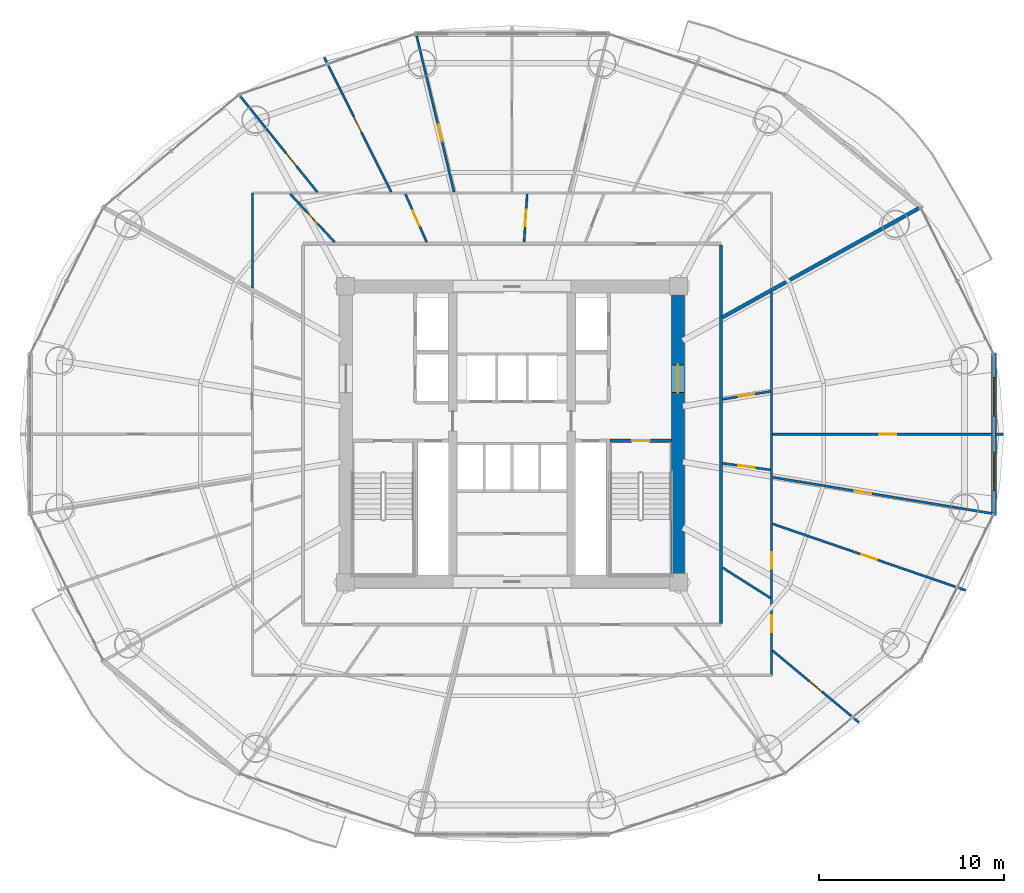
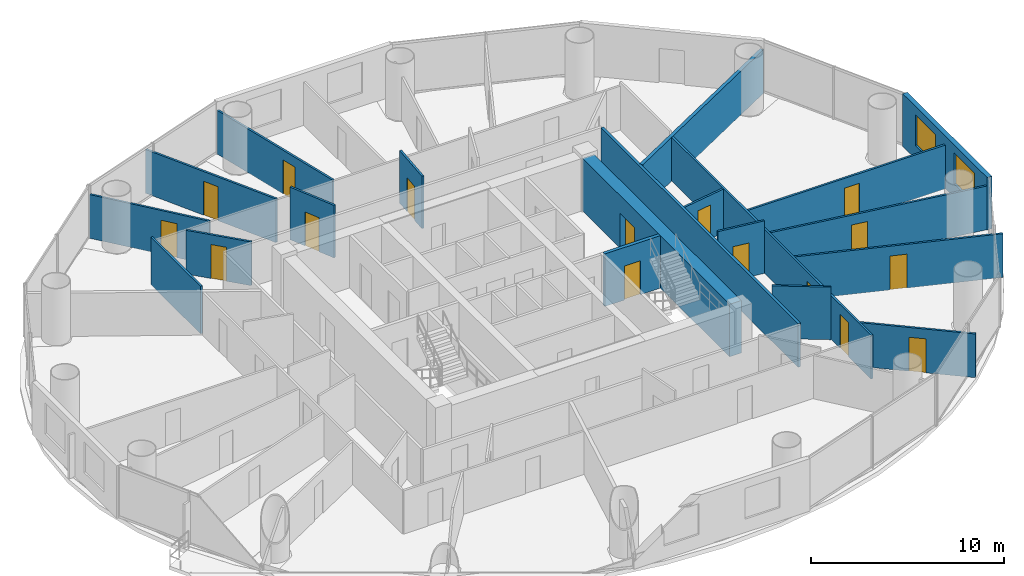
# One storey, part 24 of 29: 20 walls, 16 doors, 2 windows, 18 openings.
"""IFC4 building model written with IfcOpenShell, lengths in metres."""

from ifc_helpers import new_model, si_unit, direction, frame, frame_2d, origin, place, context, subcontext, project, spatial, rectangle, extrude, source, transform, mapped, material, layer, layer_set, type_object, element, fill, save


model = new_model("IFC4")

# Units and contexts
model_context = context("Model", 3, precision=1e-05, world=origin(), true_north=direction((-0.2419218956, 0.970295726276)))
body_context = subcontext(model_context, "Body", "Model", "MODEL_VIEW")
ifc_project = project(units=[si_unit("LENGTHUNIT", "METRE"), si_unit("AREAUNIT", "SQUARE_METRE"), si_unit("VOLUMEUNIT", "CUBIC_METRE"), si_unit("PLANEANGLEUNIT", "RADIAN"), si_unit("MASSUNIT", "GRAM", prefix="KILO")], contexts=[model_context])

# Site, building, storey
site_placement = place(None, origin())
site = spatial("IfcSite", under=ifc_project, at=site_placement, CompositionType="ELEMENT")
building_placement = place(site_placement, origin())
building = spatial("IfcBuilding", under=site, at=building_placement, Name="Cobrevalo Terracotta Tower", CompositionType="ELEMENT")
storey_placement = place(building_placement, frame((0.0, 0.0, 94.199951171875)))
storey = spatial("IfcBuildingStorey", under=building, at=storey_placement, Name="L24", CompositionType="ELEMENT", Elevation=94.199951171875)

# Wall, opening, door
ifc_material_1 = material(Name="Concrete C60", Category="concrete")
ifc_layer_1 = layer(ifc_material_1, 0.699951171875)
ifc_layer_set_1 = layer_set([ifc_layer_1], Name="Concrete C60")
wall_type_1 = type_object("IfcWallType", Name="Core shear wall 700 mm Concrete C60", PredefinedType="SHEAR", material=ifc_layer_set_1)
wall_1_placement = place(storey_placement, frame((46.97509765625, 19.175048828125, 0.0), z_axis=(0.0, 0.0, 1.0), x_axis=(0.0, 1.0, 0.0)))
wall_1 = element("IfcWall", 1, at=wall_1_placement, inside=storey, type_object=wall_type_1, Name="L24 east core shear wall", PredefinedType="SHEAR", context=body_context, shape_type="SweptSolid", body=[
    extrude(rectangle(XDim=15.25, YDim=0.699951171875, at=frame_2d((7.625, 0.0))), origin(), (0.0, 0.0, 1.0), 3.324951171875),
])
opening_1_placement = place(wall_1_placement, frame((9.875, 0.0, 0.0)))
opening_1 = element("IfcOpeningElement", 2, at=opening_1_placement, cuts=wall_1, Name="Opening ID-14", PredefinedType="OPENING", context=body_context, shape_type="SweptSolid", body=[
    extrude(rectangle(XDim=1.5, YDim=2.199951171875, at=frame_2d((0.75, 1.10009765625))), frame((0.0, 0.35986328125, 0.0), z_axis=(0.0, -1.0, 0.0), x_axis=(1.0, 0.0, 0.0)), (0.0, 0.0, 1.0), 0.719970703125),
])
ifc_material_2 = material(Name="Galvanized fire-rated steel", Category="steel")
door_type_1 = type_object("IfcDoorType", Name="Core cross-lobby double fire door 1500x2200 EI 90", OperationType="NOTDEFINED", PredefinedType="DOOR", material=ifc_material_2)
shared_shape_1 = source(origin(), body_context, "Body", "SweptSolid", [
    extrude(rectangle(XDim=1.5, YDim=2.199951171875, at=frame_2d((0.75, 1.10009765625))), frame((0.0, 0.02490234375, 0.0), z_axis=(0.0, -1.0, 0.0), x_axis=(1.0, 0.0, 0.0)), (0.0, 0.0, 1.0), 0.050048828125),
])
door_1_placement = place(opening_1_placement, frame((1.5, 0.0, 0.0), z_axis=(0.0, 0.0, 1.0), x_axis=(-1.0, 0.0, 0.0)))
door_1 = element("IfcDoor", 3, at=door_1_placement, inside=storey, type_object=door_type_1, Name="L24 east firefighting lobby entrance door", OperationType="DOUBLE_DOOR_SINGLE_SWING", OverallHeight=2.199951171875, OverallWidth=1.5, PredefinedType="DOOR", context=body_context, shape_type="MappedRepresentation", body=[
    mapped(shared_shape_1, transform((0.0, 0.0, 0.0), scale=1.0)),
])
fill(opening_1, door_1)

# Walls
ifc_material_3 = material(Name="Gypsum board on steel stud", Category="steel")
ifc_layer_2 = layer(ifc_material_3, 0.159912109375)
ifc_layer_set_2 = layer_set([ifc_layer_2], Name="Gypsum board on steel stud")
wall_type_2 = type_object("IfcWallType", Name="Fire-rated corridor acoustic partition wall 160 mm", PredefinedType="PARTITIONING", material=ifc_layer_set_2)
wall_2_placement = place(storey_placement, frame((49.304931640625, 16.574951171875, 0.0), z_axis=(0.0, 0.0, 1.0), x_axis=(0.0, 1.0, 0.0)))
element("IfcWall", 4, at=wall_2_placement, inside=storey, type_object=wall_type_2, Name="L24 interior partition IW-L24-COR-E", PredefinedType="PARTITIONING", context=body_context, shape_type="SweptSolid", body=[
    extrude(rectangle(XDim=20.449951171875, YDim=0.159912109375, at=frame_2d((10.22509765625, 0.0))), origin(), (0.0, 0.0, 1.0), 2.76708984375),
])
ifc_material_4 = material(Name="Autoclaved aerated concrete block", Category="concrete")
ifc_layer_3 = layer(ifc_material_4, 0.199951171875)
ifc_layer_set_3 = layer_set([ifc_layer_3], Name="Autoclaved aerated concrete block")
wall_type_3 = type_object("IfcWallType", Name="Fire-rated stair, shaft & demising masonry wall 200 mm", PredefinedType="PARTITIONING", material=ifc_layer_set_3)
wall_3_placement = place(storey_placement, frame((49.38671875, 33.121337890625, 0.0), z_axis=(0.0, 0.0, 1.0), x_axis=(0.874320165728, 0.485349613992, 0.0)))
element("IfcWall", 5, at=wall_3_placement, inside=storey, type_object=wall_type_3, Name="L24 interior partition IW-L24-DEM-1", PredefinedType="PARTITIONING", context=body_context, shape_type="SweptSolid", body=[
    extrude(rectangle(XDim=12.156494140625, YDim=0.199951171875, at=frame_2d((6.078125, 0.0))), origin(), (0.0, 0.0, 1.0), 2.76708984375),
])

# Wall, openings, windows
ifc_layer_4 = layer(ifc_material_4, 0.280029296875)
ifc_layer_set_4 = layer_set([ifc_layer_4], Name="Autoclaved aerated concrete block")
wall_type_4 = type_object("IfcWallType", Name="Insulated tower spandrel & pier wall 280 mm with terracotta rainscreen", PredefinedType="SOLIDWALL", material=ifc_layer_set_4)
wall_4_placement = place(storey_placement, frame((64.0595703125, 22.414306640625, 0.0), z_axis=(0.0, 0.0, 1.0), x_axis=(0.0, 1.0, 0.0)))
wall_4 = element("IfcWall", 6, at=wall_4_placement, inside=storey, type_object=wall_type_4, Name="L24 terracotta rainscreen pier wall S16", PredefinedType="SOLIDWALL", context=body_context, shape_type="SweptSolid", body=[
    extrude(rectangle(XDim=8.771240234375, YDim=0.280029296875, at=frame_2d((4.3857421875, 0.0))), origin(), (0.0, 0.0, 1.0), 3.324951171875),
])
opening_2_placement = place(wall_4_placement, frame((1.318115234375, 0.0, 0.85009765625)))
opening_2 = element("IfcOpeningElement", 7, at=opening_2_placement, cuts=wall_4, Name="Opening WN-10", PredefinedType="OPENING", context=body_context, shape_type="SweptSolid", body=[
    extrude(rectangle(XDim=2.10009765625, YDim=1.949951171875, at=frame_2d((1.050048828125, 0.97509765625))), frame((0.0, 0.14990234375, 0.0), z_axis=(0.0, -1.0, 0.0), x_axis=(1.0, 0.0, 0.0)), (0.0, 0.0, 1.0), 0.300048828125),
])
opening_3_placement = place(wall_4_placement, frame((5.35302734375, 0.0, 0.85009765625)))
opening_3 = element("IfcOpeningElement", 8, at=opening_3_placement, cuts=wall_4, Name="Opening WN-10", PredefinedType="OPENING", context=body_context, shape_type="SweptSolid", body=[
    extrude(rectangle(XDim=2.10009765625, YDim=1.949951171875, at=frame_2d((1.050048828125, 0.97509765625))), frame((0.0, 0.14990234375, 0.0), z_axis=(0.0, -1.0, 0.0), x_axis=(1.0, 0.0, 0.0)), (0.0, 0.0, 1.0), 0.300048828125),
])
ifc_material_5 = material(Name="Solar-control low-E double glazing", Category="glass")
window_type = type_object("IfcWindowType", Name="Wide panoramic low-E aluminium window 2100x1950", PartitioningType="SINGLE_PANEL", PredefinedType="WINDOW", material=ifc_material_5)
shared_shape_2 = source(origin(), body_context, "Body", "SweptSolid", [
    extrude(rectangle(XDim=2.10009765625, YDim=1.949951171875, at=frame_2d((1.050048828125, 0.97509765625))), frame((0.0, 0.030029296875, 0.0), z_axis=(0.0, -1.0, 0.0), x_axis=(1.0, 0.0, 0.0)), (0.0, 0.0, 1.0), 0.06005859375),
])
window_1_placement = place(opening_2_placement, origin())
window_1 = element("IfcWindow", 9, at=window_1_placement, inside=storey, type_object=window_type, Name="L24 suite window S16A", OverallHeight=1.949951171875, OverallWidth=2.10009765625, PartitioningType="SINGLE_PANEL", PredefinedType="WINDOW", context=body_context, shape_type="MappedRepresentation", body=[
    mapped(shared_shape_2, transform((0.0, 0.0, 0.0), scale=1.0)),
])
fill(opening_2, window_1)
window_2_placement = place(opening_3_placement, origin())
window_2 = element("IfcWindow", 10, at=window_2_placement, inside=storey, type_object=window_type, Name="L24 suite window S16B", OverallHeight=1.949951171875, OverallWidth=2.10009765625, PartitioningType="SINGLE_PANEL", PredefinedType="WINDOW", context=body_context, shape_type="MappedRepresentation", body=[
    mapped(shared_shape_2, transform((0.0, 0.0, 0.0), scale=1.0)),
])
fill(opening_3, window_2)

# Wall
ifc_layer_5 = layer(ifc_material_3, 0.1201171875)
ifc_layer_set_5 = layer_set([ifc_layer_5], Name="Gypsum board on steel stud")
wall_type_5 = type_object("IfcWallType", Name="Residential internal acoustic stud partition 120 mm", PredefinedType="PARTITIONING", material=ifc_layer_set_5)
wall_5_placement = place(storey_placement, frame((23.965087890625, 34.693359375, 0.0), z_axis=(0.0, 0.0, 1.0), x_axis=(0.0, 1.0, 0.0)))
element("IfcWall", 11, at=wall_5_placement, inside=storey, type_object=wall_type_5, Name="L24 interior partition IW-L24-U1-RING0_0", PredefinedType="PARTITIONING", context=body_context, shape_type="SweptSolid", body=[
    extrude(rectangle(XDim=5.1416015625, YDim=0.1201171875, at=frame_2d((2.57080078125, 0.0))), origin(), (0.0, 0.0, 1.0), 3.004150390625),
])

# Wall, opening, door
wall_6_placement = place(storey_placement, frame((34.86474609375, 39.895263671875, 0.0), z_axis=(0.0, 0.0, 1.0), x_axis=(-0.23282725047, 0.97251810854, 0.0)))
wall_6 = element("IfcWall", 12, at=wall_6_placement, inside=storey, type_object=wall_type_5, Name="L24 interior partition IW-L24-U1-ORAD3", PredefinedType="PARTITIONING", context=body_context, shape_type="SweptSolid", body=[
    extrude(rectangle(XDim=8.71484375, YDim=0.1201171875, at=frame_2d((4.357421875, 0.0))), origin(), (0.0, 0.0, 1.0), 2.76708984375),
])
opening_4_placement = place(wall_6_placement, frame((2.830078125, 0.0, 0.0)))
opening_4 = element("IfcOpeningElement", 13, at=opening_4_placement, cuts=wall_6, Name="Opening ID-12", PredefinedType="OPENING", context=body_context, shape_type="SweptSolid", body=[
    extrude(rectangle(XDim=0.89990234375, YDim=2.14990234375, at=frame_2d((0.449951171875, 1.074951171875))), frame((0.0, 0.070068359375, 0.0), z_axis=(0.0, -1.0, 0.0), x_axis=(1.0, 0.0, 0.0)), (0.0, 0.0, 1.0), 0.14013671875),
])
ifc_material_6 = material(Name="Engineered timber", Category="wood")
door_type_2 = type_object("IfcDoorType", Name="Internal residence & suite timber door 900x2150", OperationType="NOTDEFINED", PredefinedType="DOOR", material=ifc_material_6)
shared_shape_3 = source(origin(), body_context, "Body", "SweptSolid", [
    extrude(rectangle(XDim=0.89990234375, YDim=2.14990234375, at=frame_2d((0.449951171875, 1.074951171875))), frame((0.0, 0.02490234375, 0.0), z_axis=(0.0, -1.0, 0.0), x_axis=(1.0, 0.0, 0.0)), (0.0, 0.0, 1.0), 0.050048828125),
])
door_2_placement = place(opening_4_placement, origin())
door_2 = element("IfcDoor", 14, at=door_2_placement, inside=storey, type_object=door_type_2, Name="Flat L24A South Bedroom internal door", OperationType="SINGLE_SWING_RIGHT", OverallHeight=2.14990234375, OverallWidth=0.89990234375, PredefinedType="DOOR", context=body_context, shape_type="MappedRepresentation", body=[
    mapped(shared_shape_3, transform((0.0, 0.0, 0.0), scale=1.0)),
])
fill(opening_4, door_2)

wall_7_placement = place(storey_placement, frame((31.4736328125, 39.890380859375, 0.0), z_axis=(0.0, 0.0, 1.0), x_axis=(-0.446167584581, 0.894949432353, 0.0)))
wall_7 = element("IfcWall", 15, at=wall_7_placement, inside=storey, type_object=wall_type_5, Name="L24 interior partition IW-L24-U1-ORAD4M1", PredefinedType="PARTITIONING", context=body_context, shape_type="SweptSolid", body=[
    extrude(rectangle(XDim=8.124755859375, YDim=0.1201171875, at=frame_2d((4.0625, 0.0))), origin(), (0.0, 0.0, 1.0), 2.76708984375),
])
opening_5_placement = place(wall_7_placement, frame((3.6123046875, 0.0, 0.0)))
opening_5 = element("IfcOpeningElement", 16, at=opening_5_placement, cuts=wall_7, Name="Opening ID-12", PredefinedType="OPENING", context=body_context, shape_type="SweptSolid", body=[
    extrude(rectangle(XDim=0.89990234375, YDim=2.14990234375, at=frame_2d((0.449951171875, 1.074951171875))), frame((0.0, 0.070068359375, 0.0), z_axis=(0.0, -1.0, 0.0), x_axis=(1.0, 0.0, 0.0)), (0.0, 0.0, 1.0), 0.14013671875),
])
door_3_placement = place(opening_5_placement, origin())
door_3 = element("IfcDoor", 17, at=door_3_placement, inside=storey, type_object=door_type_2, Name="Flat L24A Penthouse Family Lounge internal door", OperationType="SINGLE_SWING_LEFT", OverallHeight=2.14990234375, OverallWidth=0.89990234375, PredefinedType="DOOR", context=body_context, shape_type="MappedRepresentation", body=[
    mapped(shared_shape_3, transform((0.0, 0.0, 0.0), scale=1.0)),
])
fill(opening_5, door_3)

wall_8_placement = place(storey_placement, frame((27.47802734375, 39.88330078125, 0.0), z_axis=(0.0, 0.0, 1.0), x_axis=(-0.62672583251, 0.779239841682, 0.0)))
wall_8 = element("IfcWall", 18, at=wall_8_placement, inside=storey, type_object=wall_type_5, Name="L24 interior partition IW-L24-U1-ORAD4", PredefinedType="PARTITIONING", context=body_context, shape_type="SweptSolid", body=[
    extrude(rectangle(XDim=6.678466796875, YDim=0.1201171875, at=frame_2d((3.33935546875, 0.0))), origin(), (0.0, 0.0, 1.0), 2.76708984375),
])
opening_6_placement = place(wall_8_placement, frame((1.8212890625, 0.0, 0.0)))
opening_6 = element("IfcOpeningElement", 19, at=opening_6_placement, cuts=wall_8, Name="Opening ID-12", PredefinedType="OPENING", context=body_context, shape_type="SweptSolid", body=[
    extrude(rectangle(XDim=0.89990234375, YDim=2.14990234375, at=frame_2d((0.449951171875, 1.074951171875))), frame((0.0, 0.070068359375, 0.0), z_axis=(0.0, -1.0, 0.0), x_axis=(1.0, 0.0, 0.0)), (0.0, 0.0, 1.0), 0.14013671875),
])
door_4_placement = place(opening_6_placement, origin())
door_4 = element("IfcDoor", 20, at=door_4_placement, inside=storey, type_object=door_type_2, Name="Flat L24A Penthouse Family Lounge internal door", OperationType="SINGLE_SWING_RIGHT", OverallHeight=2.14990234375, OverallWidth=0.89990234375, PredefinedType="DOOR", context=body_context, shape_type="MappedRepresentation", body=[
    mapped(shared_shape_3, transform((0.0, 0.0, 0.0), scale=1.0)),
])
fill(opening_6, door_4)

wall_9_placement = place(storey_placement, frame((38.655029296875, 37.18505859375, 0.0), z_axis=(0.0, 0.0, 1.0), x_axis=(0.062981965009, 0.998014665265, 0.0)))
wall_9 = element("IfcWall", 21, at=wall_9_placement, inside=storey, type_object=wall_type_5, Name="L24 interior partition IW-L24-U1-IRAD3", PredefinedType="PARTITIONING", context=body_context, shape_type="SweptSolid", body=[
    extrude(rectangle(XDim=2.59326171875, YDim=0.1201171875, at=frame_2d((1.296630859375, 0.0))), origin(), (0.0, 0.0, 1.0), 3.324951171875),
])
opening_7_placement = place(wall_9_placement, frame((0.8466796875, 0.0, 0.0)))
opening_7 = element("IfcOpeningElement", 22, at=opening_7_placement, cuts=wall_9, Name="Opening ID-12", PredefinedType="OPENING", context=body_context, shape_type="SweptSolid", body=[
    extrude(rectangle(XDim=0.89990234375, YDim=2.14990234375, at=frame_2d((0.449951171875, 1.074951171875))), frame((0.0, 0.070068359375, 0.0), z_axis=(0.0, -1.0, 0.0), x_axis=(1.0, 0.0, 0.0)), (0.0, 0.0, 1.0), 0.14013671875),
])
door_5_placement = place(opening_7_placement, origin())
door_5 = element("IfcDoor", 23, at=door_5_placement, inside=storey, type_object=door_type_2, Name="Flat L24A Utility Closet internal door", OperationType="SINGLE_SWING_RIGHT", OverallHeight=2.14990234375, OverallWidth=0.89990234375, PredefinedType="DOOR", context=body_context, shape_type="MappedRepresentation", body=[
    mapped(shared_shape_3, transform((0.0, 0.0, 0.0), scale=1.0)),
])
fill(opening_7, door_5)

wall_10_placement = place(storey_placement, frame((33.388671875, 37.18505859375, 0.0), z_axis=(0.0, 0.0, 1.0), x_axis=(-0.40585903307, 0.913935689902, 0.0)))
wall_10 = element("IfcWall", 24, at=wall_10_placement, inside=storey, type_object=wall_type_5, Name="L24 interior partition IW-L24-U1-IRAD4", PredefinedType="PARTITIONING", context=body_context, shape_type="SweptSolid", body=[
    extrude(rectangle(XDim=2.83740234375, YDim=0.1201171875, at=frame_2d((1.418701171875, 0.0))), origin(), (0.0, 0.0, 1.0), 3.324951171875),
])
opening_8_placement = place(wall_10_placement, frame((0.96875, 0.0, 0.0)))
opening_8 = element("IfcOpeningElement", 25, at=opening_8_placement, cuts=wall_10, Name="Opening ID-12", PredefinedType="OPENING", context=body_context, shape_type="SweptSolid", body=[
    extrude(rectangle(XDim=0.89990234375, YDim=2.14990234375, at=frame_2d((0.449951171875, 1.074951171875))), frame((0.0, 0.070068359375, 0.0), z_axis=(0.0, -1.0, 0.0), x_axis=(1.0, 0.0, 0.0)), (0.0, 0.0, 1.0), 0.14013671875),
])
door_6_placement = place(opening_8_placement, origin())
door_6 = element("IfcDoor", 26, at=door_6_placement, inside=storey, type_object=door_type_2, Name="Flat L24A Private Wellness Room internal door", OperationType="SINGLE_SWING_LEFT", OverallHeight=2.14990234375, OverallWidth=0.89990234375, PredefinedType="DOOR", context=body_context, shape_type="MappedRepresentation", body=[
    mapped(shared_shape_3, transform((0.0, 0.0, 0.0), scale=1.0)),
])
fill(opening_8, door_6)

wall_11_placement = place(storey_placement, frame((28.40869140625, 37.18505859375, 0.0), z_axis=(0.0, 0.0, 1.0), x_axis=(-0.678451695105, 0.734645014554, 0.0)))
wall_11 = element("IfcWall", 27, at=wall_11_placement, inside=storey, type_object=wall_type_5, Name="L24 interior partition IW-L24-U1-IRAD5", PredefinedType="PARTITIONING", context=body_context, shape_type="SweptSolid", body=[
    extrude(rectangle(XDim=3.545166015625, YDim=0.1201171875, at=frame_2d((1.7724609375, 0.0))), origin(), (0.0, 0.0, 1.0), 2.76708984375),
])
opening_9_placement = place(wall_11_placement, frame((1.342529296875, 0.0, 0.0)))
opening_9 = element("IfcOpeningElement", 28, at=opening_9_placement, cuts=wall_11, Name="Opening ID-19", PredefinedType="OPENING", context=body_context, shape_type="SweptSolid", body=[
    extrude(rectangle(XDim=0.860107421875, YDim=2.14990234375, at=frame_2d((0.43017578125, 1.074951171875))), frame((0.0, 0.070068359375, 0.0), z_axis=(0.0, -1.0, 0.0), x_axis=(1.0, 0.0, 0.0)), (0.0, 0.0, 1.0), 0.14013671875),
])
ifc_material_7 = material(Name="Moisture-sealed timber", Category="wood")
door_type_3 = type_object("IfcDoorType", Name="Suite bathroom internal timber door 860x2150", OperationType="NOTDEFINED", PredefinedType="DOOR", material=ifc_material_7)
shared_shape_4 = source(origin(), body_context, "Body", "SweptSolid", [
    extrude(rectangle(XDim=0.860107421875, YDim=2.14990234375, at=frame_2d((0.43017578125, 1.074951171875))), frame((0.0, 0.02490234375, 0.0), z_axis=(0.0, -1.0, 0.0), x_axis=(1.0, 0.0, 0.0)), (0.0, 0.0, 1.0), 0.050048828125),
])
door_7_placement = place(opening_9_placement, origin())
door_7 = element("IfcDoor", 29, at=door_7_placement, inside=storey, type_object=door_type_3, Name="Flat L24A Guest Bathroom internal door", OperationType="SINGLE_SWING_RIGHT", OverallHeight=2.14990234375, OverallWidth=0.860107421875, PredefinedType="DOOR", context=body_context, shape_type="MappedRepresentation", body=[
    mapped(shared_shape_4, transform((0.0, 0.0, 0.0), scale=1.0)),
])
fill(opening_9, door_7)

# Wall, openings, doors
wall_12_placement = place(storey_placement, frame((52.034912109375, 34.489501953125, 0.0), z_axis=(0.0, 0.0, 1.0), x_axis=(0.0, -1.0, 0.0)))
wall_12 = element("IfcWall", 30, at=wall_12_placement, inside=storey, type_object=wall_type_5, Name="L24 interior partition IW-L24-U3-RING0_0", PredefinedType="PARTITIONING", context=body_context, shape_type="SweptSolid", body=[
    extrude(rectangle(XDim=20.724609375, YDim=0.1201171875, at=frame_2d((10.3623046875, 0.0))), origin(), (0.0, 0.0, 1.0), 2.76708984375),
])
opening_10_placement = place(wall_12_placement, frame((17.4931640625, 0.0, 0.0)))
opening_10 = element("IfcOpeningElement", 31, at=opening_10_placement, cuts=wall_12, Name="Opening ID-12", PredefinedType="OPENING", context=body_context, shape_type="SweptSolid", body=[
    extrude(rectangle(XDim=0.89990234375, YDim=2.14990234375, at=frame_2d((0.449951171875, 1.074951171875))), frame((0.0, 0.070068359375, 0.0), z_axis=(0.0, -1.0, 0.0), x_axis=(1.0, 0.0, 0.0)), (0.0, 0.0, 1.0), 0.14013671875),
])
opening_11_placement = place(wall_12_placement, frame((14.06396484375, 0.0, 0.0)))
opening_11 = element("IfcOpeningElement", 32, at=opening_11_placement, cuts=wall_12, Name="Opening ID-12", PredefinedType="OPENING", context=body_context, shape_type="SweptSolid", body=[
    extrude(rectangle(XDim=0.89990234375, YDim=2.14990234375, at=frame_2d((0.449951171875, 1.074951171875))), frame((0.0, 0.070068359375, 0.0), z_axis=(0.0, -1.0, 0.0), x_axis=(1.0, 0.0, 0.0)), (0.0, 0.0, 1.0), 0.14013671875),
])
door_8_placement = place(opening_10_placement, origin())
door_8 = element("IfcDoor", 33, at=door_8_placement, inside=storey, type_object=door_type_2, Name="Flat L24C Penthouse Family Lounge internal door", OperationType="SINGLE_SWING_LEFT", OverallHeight=2.14990234375, OverallWidth=0.89990234375, PredefinedType="DOOR", context=body_context, shape_type="MappedRepresentation", body=[
    mapped(shared_shape_3, transform((0.0, 0.0, 0.0), scale=1.0)),
])
fill(opening_10, door_8)
door_9_placement = place(opening_11_placement, frame((0.89990234375, 0.0, 0.0), z_axis=(0.0, 0.0, 1.0), x_axis=(-1.0, 0.0, 0.0)))
door_9 = element("IfcDoor", 34, at=door_9_placement, inside=storey, type_object=door_type_2, Name="Flat L24C Utility Closet internal door", OperationType="SINGLE_SWING_RIGHT", OverallHeight=2.14990234375, OverallWidth=0.89990234375, PredefinedType="DOOR", context=body_context, shape_type="MappedRepresentation", body=[
    mapped(shared_shape_3, transform((0.0, 0.0, 0.0), scale=1.0)),
])
fill(opening_11, door_9)

# Wall, opening, door
wall_13_placement = place(storey_placement, frame((52.082763671875, 15.099609375, 0.0), z_axis=(0.0, 0.0, 1.0), x_axis=(0.769161827891, -0.63905405289, 0.0)))
wall_13 = element("IfcWall", 35, at=wall_13_placement, inside=storey, type_object=wall_type_5, Name="L24 interior partition IW-L24-U3-ORAD2M1", PredefinedType="PARTITIONING", context=body_context, shape_type="SweptSolid", body=[
    extrude(rectangle(XDim=6.07958984375, YDim=0.1201171875, at=frame_2d((3.039794921875, 0.0))), origin(), (0.0, 0.0, 1.0), 2.76708984375),
])
opening_12_placement = place(wall_13_placement, frame((2.58984375, 0.0, 0.0)))
opening_12 = element("IfcOpeningElement", 36, at=opening_12_placement, cuts=wall_13, Name="Opening ID-12", PredefinedType="OPENING", context=body_context, shape_type="SweptSolid", body=[
    extrude(rectangle(XDim=0.89990234375, YDim=2.14990234375, at=frame_2d((0.449951171875, 1.074951171875))), frame((0.0, 0.070068359375, 0.0), z_axis=(0.0, -1.0, 0.0), x_axis=(1.0, 0.0, 0.0)), (0.0, 0.0, 1.0), 0.14013671875),
])
door_10_placement = place(opening_12_placement, frame((0.89990234375, 0.0, 0.0), z_axis=(0.0, 0.0, 1.0), x_axis=(-1.0, 0.0, 0.0)))
door_10 = element("IfcDoor", 37, at=door_10_placement, inside=storey, type_object=door_type_2, Name="Flat L24C Master Bedroom internal door", OperationType="SINGLE_SWING_LEFT", OverallHeight=2.14990234375, OverallWidth=0.89990234375, PredefinedType="DOOR", context=body_context, shape_type="MappedRepresentation", body=[
    mapped(shared_shape_3, transform((0.0, 0.0, 0.0), scale=1.0)),
])
fill(opening_12, door_10)

wall_14_placement = place(storey_placement, frame((52.09375, 21.94970703125, 0.0), z_axis=(0.0, 0.0, 1.0), x_axis=(0.945573120726, -0.32540970078, 0.0)))
wall_14 = element("IfcWall", 38, at=wall_14_placement, inside=storey, type_object=wall_type_5, Name="L24 interior partition IW-L24-U3-ORAD2", PredefinedType="PARTITIONING", context=body_context, shape_type="SweptSolid", body=[
    extrude(rectangle(XDim=11.02197265625, YDim=0.1201171875, at=frame_2d((5.510986328125, 0.0))), origin(), (0.0, 0.0, 1.0), 2.76708984375),
])
opening_13_placement = place(wall_14_placement, frame((5.06103515625, 0.0, 0.0)))
opening_13 = element("IfcOpeningElement", 39, at=opening_13_placement, cuts=wall_14, Name="Opening ID-12", PredefinedType="OPENING", context=body_context, shape_type="SweptSolid", body=[
    extrude(rectangle(XDim=0.89990234375, YDim=2.14990234375, at=frame_2d((0.449951171875, 1.074951171875))), frame((0.0, 0.070068359375, 0.0), z_axis=(0.0, -1.0, 0.0), x_axis=(1.0, 0.0, 0.0)), (0.0, 0.0, 1.0), 0.14013671875),
])
door_11_placement = place(opening_13_placement, origin())
door_11 = element("IfcDoor", 40, at=door_11_placement, inside=storey, type_object=door_type_2, Name="Flat L24C Principal Guest Bedroom internal door", OperationType="SINGLE_SWING_RIGHT", OverallHeight=2.14990234375, OverallWidth=0.89990234375, PredefinedType="DOOR", context=body_context, shape_type="MappedRepresentation", body=[
    mapped(shared_shape_3, transform((0.0, 0.0, 0.0), scale=1.0)),
])
fill(opening_13, door_11)

wall_15_placement = place(storey_placement, frame((52.09619140625, 24.470458984375, 0.0), z_axis=(0.0, 0.0, 1.0), x_axis=(0.986618264768, -0.163047231274, 0.0)))
wall_15 = element("IfcWall", 41, at=wall_15_placement, inside=storey, type_object=wall_type_5, Name="L24 interior partition IW-L24-U3-ORAD3M1", PredefinedType="PARTITIONING", context=body_context, shape_type="SweptSolid", body=[
    extrude(rectangle(XDim=12.038818359375, YDim=0.1201171875, at=frame_2d((6.01953125, 0.0))), origin(), (0.0, 0.0, 1.0), 2.76708984375),
])
opening_14_placement = place(wall_15_placement, frame((4.495849609375, 0.0, 0.0)))
opening_14 = element("IfcOpeningElement", 42, at=opening_14_placement, cuts=wall_15, Name="Opening ID-12", PredefinedType="OPENING", context=body_context, shape_type="SweptSolid", body=[
    extrude(rectangle(XDim=0.89990234375, YDim=2.14990234375, at=frame_2d((0.449951171875, 1.074951171875))), frame((0.0, 0.070068359375, 0.0), z_axis=(0.0, -1.0, 0.0), x_axis=(1.0, 0.0, 0.0)), (0.0, 0.0, 1.0), 0.14013671875),
])
door_12_placement = place(opening_14_placement, origin())
door_12 = element("IfcDoor", 43, at=door_12_placement, inside=storey, type_object=door_type_2, Name="Flat L24C Principal Guest Bedroom internal door", OperationType="SINGLE_SWING_LEFT", OverallHeight=2.14990234375, OverallWidth=0.89990234375, PredefinedType="DOOR", context=body_context, shape_type="MappedRepresentation", body=[
    mapped(shared_shape_3, transform((0.0, 0.0, 0.0), scale=1.0)),
])
fill(opening_14, door_12)

wall_16_placement = place(storey_placement, frame((52.096923828125, 26.800048828125, 0.0), z_axis=(0.0, 0.0, 1.0), x_axis=(1.0, 0.0, 0.0)))
wall_16 = element("IfcWall", 44, at=wall_16_placement, inside=storey, type_object=wall_type_5, Name="L24 interior partition IW-L24-U3-ORAD3", PredefinedType="PARTITIONING", context=body_context, shape_type="SweptSolid", body=[
    extrude(rectangle(XDim=12.443115234375, YDim=0.1201171875, at=frame_2d((6.2216796875, 0.0))), origin(), (0.0, 0.0, 1.0), 2.76708984375),
])
opening_15_placement = place(wall_16_placement, frame((5.771484375, 0.0, 0.0)))
opening_15 = element("IfcOpeningElement", 45, at=opening_15_placement, cuts=wall_16, Name="Opening ID-12", PredefinedType="OPENING", context=body_context, shape_type="SweptSolid", body=[
    extrude(rectangle(XDim=0.89990234375, YDim=2.14990234375, at=frame_2d((0.449951171875, 1.074951171875))), frame((0.0, 0.070068359375, 0.0), z_axis=(0.0, -1.0, 0.0), x_axis=(1.0, 0.0, 0.0)), (0.0, 0.0, 1.0), 0.14013671875),
])
door_13_placement = place(opening_15_placement, origin())
door_13 = element("IfcDoor", 46, at=door_13_placement, inside=storey, type_object=door_type_2, Name="Flat L24C Penthouse Family Lounge internal door", OperationType="SINGLE_SWING_RIGHT", OverallHeight=2.14990234375, OverallWidth=0.89990234375, PredefinedType="DOOR", context=body_context, shape_type="MappedRepresentation", body=[
    mapped(shared_shape_3, transform((0.0, 0.0, 0.0), scale=1.0)),
])
fill(opening_15, door_13)

# Wall
wall_17_placement = place(storey_placement, frame((49.38671875, 19.580078125, 0.0), z_axis=(0.0, 0.0, 1.0), x_axis=(0.844540118368, -0.535492286094, 0.0)))
element("IfcWall", 47, at=wall_17_placement, inside=storey, type_object=wall_type_5, Name="L24 interior partition IW-L24-U3-IRAD3", PredefinedType="PARTITIONING", context=body_context, shape_type="SweptSolid", body=[
    extrude(rectangle(XDim=3.07373046875, YDim=0.1201171875, at=frame_2d((1.536865234375, 0.0))), origin(), (0.0, 0.0, 1.0), 3.324951171875),
])

# Wall, opening, door
wall_18_placement = place(storey_placement, frame((49.386962890625, 25.225341796875, 0.0), z_axis=(0.0, 0.0, 1.0), x_axis=(0.990575253555, -0.136969584375, 0.0)))
wall_18 = element("IfcWall", 48, at=wall_18_placement, inside=storey, type_object=wall_type_5, Name="L24 interior partition IW-L24-U3-IRAD4", PredefinedType="PARTITIONING", context=body_context, shape_type="SweptSolid", body=[
    extrude(rectangle(XDim=2.611328125, YDim=0.1201171875, at=frame_2d((1.3056640625, 0.0))), origin(), (0.0, 0.0, 1.0), 3.324951171875),
])
opening_16_placement = place(wall_18_placement, frame((0.855712890625, 0.0, 0.0)))
opening_16 = element("IfcOpeningElement", 49, at=opening_16_placement, cuts=wall_18, Name="Opening ID-12", PredefinedType="OPENING", context=body_context, shape_type="SweptSolid", body=[
    extrude(rectangle(XDim=0.89990234375, YDim=2.14990234375, at=frame_2d((0.449951171875, 1.074951171875))), frame((0.0, 0.070068359375, 0.0), z_axis=(0.0, -1.0, 0.0), x_axis=(1.0, 0.0, 0.0)), (0.0, 0.0, 1.0), 0.14013671875),
])
door_14_placement = place(opening_16_placement, origin())
door_14 = element("IfcDoor", 50, at=door_14_placement, inside=storey, type_object=door_type_2, Name="Flat L24C Private Wellness Room internal door", OperationType="SINGLE_SWING_LEFT", OverallHeight=2.14990234375, OverallWidth=0.89990234375, PredefinedType="DOOR", context=body_context, shape_type="MappedRepresentation", body=[
    mapped(shared_shape_3, transform((0.0, 0.0, 0.0), scale=1.0)),
])
fill(opening_16, door_14)

wall_19_placement = place(storey_placement, frame((49.386962890625, 28.681884765625, 0.0), z_axis=(0.0, 0.0, 1.0), x_axis=(0.986619477472, 0.163039892889, 0.0)))
wall_19 = element("IfcWall", 51, at=wall_19_placement, inside=storey, type_object=wall_type_5, Name="L24 interior partition IW-L24-U3-IRAD5", PredefinedType="PARTITIONING", context=body_context, shape_type="SweptSolid", body=[
    extrude(rectangle(XDim=2.6220703125, YDim=0.1201171875, at=frame_2d((1.31103515625, 0.0))), origin(), (0.0, 0.0, 1.0), 2.76708984375),
])
opening_17_placement = place(wall_19_placement, frame((0.881103515625, 0.0, 0.0)))
opening_17 = element("IfcOpeningElement", 52, at=opening_17_placement, cuts=wall_19, Name="Opening ID-19", PredefinedType="OPENING", context=body_context, shape_type="SweptSolid", body=[
    extrude(rectangle(XDim=0.860107421875, YDim=2.14990234375, at=frame_2d((0.43017578125, 1.074951171875))), frame((0.0, 0.070068359375, 0.0), z_axis=(0.0, -1.0, 0.0), x_axis=(1.0, 0.0, 0.0)), (0.0, 0.0, 1.0), 0.14013671875),
])
door_15_placement = place(opening_17_placement, origin())
door_15 = element("IfcDoor", 53, at=door_15_placement, inside=storey, type_object=door_type_3, Name="Flat L24C Guest Bathroom internal door", OperationType="SINGLE_SWING_RIGHT", OverallHeight=2.14990234375, OverallWidth=0.860107421875, PredefinedType="DOOR", context=body_context, shape_type="MappedRepresentation", body=[
    mapped(shared_shape_4, transform((0.0, 0.0, 0.0), scale=1.0)),
])
fill(opening_17, door_15)

ifc_material_8 = material(Name="Concrete C50", Category="concrete")
ifc_layer_6 = layer(ifc_material_8, 0.199951171875)
ifc_layer_set_6 = layer_set([ifc_layer_6], Name="Concrete C50")
wall_type_6 = type_object("IfcWallType", Name="Structural core & podium stair-shaft RC wall 200 mm Concrete C50", PredefinedType="SOLIDWALL", material=ifc_layer_set_6)
wall_20_placement = place(storey_placement, frame((43.304931640625, 26.449951171875, 0.0), z_axis=(0.0, 0.0, 1.0), x_axis=(1.0, 0.0, 0.0)))
wall_20 = element("IfcWall", 54, at=wall_20_placement, inside=storey, type_object=wall_type_6, Name="L24 ST-2 north structural shaft wall", PredefinedType="SOLIDWALL", context=body_context, shape_type="SweptSolid", body=[
    extrude(rectangle(XDim=3.320068359375, YDim=0.199951171875, at=frame_2d((1.66015625, 0.0))), origin(), (0.0, 0.0, 1.0), 3.324951171875),
])
opening_18_placement = place(wall_20_placement, frame((1.18505859375, 0.0, 0.0)))
opening_18 = element("IfcOpeningElement", 55, at=opening_18_placement, cuts=wall_20, Name="Opening ID-04", PredefinedType="OPENING", context=body_context, shape_type="SweptSolid", body=[
    extrude(rectangle(XDim=0.949951171875, YDim=2.14990234375, at=frame_2d((0.47509765625, 1.074951171875))), frame((0.0, 0.10986328125, 0.0), z_axis=(0.0, -1.0, 0.0), x_axis=(1.0, 0.0, 0.0)), (0.0, 0.0, 1.0), 0.219970703125),
])
door_type_4 = type_object("IfcDoorType", Name="Stair & firefighting lobby fire door 950x2150 EI 90", OperationType="NOTDEFINED", PredefinedType="DOOR", material=ifc_material_2)
shared_shape_5 = source(origin(), body_context, "Body", "SweptSolid", [
    extrude(rectangle(XDim=0.949951171875, YDim=2.14990234375, at=frame_2d((0.47509765625, 1.074951171875))), frame((0.0, 0.02490234375, 0.0), z_axis=(0.0, -1.0, 0.0), x_axis=(1.0, 0.0, 0.0)), (0.0, 0.0, 1.0), 0.050048828125),
])
door_16_placement = place(opening_18_placement, frame((0.949951171875, 0.0, 0.0), z_axis=(0.0, 0.0, 1.0), x_axis=(-1.0, 0.0, 0.0)))
door_16 = element("IfcDoor", 56, at=door_16_placement, inside=storey, type_object=door_type_4, Name="L24 protected stair ST2 fire door", OperationType="SINGLE_SWING_RIGHT", OverallHeight=2.14990234375, OverallWidth=0.949951171875, PredefinedType="DOOR", context=body_context, shape_type="MappedRepresentation", body=[
    mapped(shared_shape_5, transform((0.0, 0.0, 0.0), scale=1.0)),
])
fill(opening_18, door_16)

save(model, "model.ifc")
